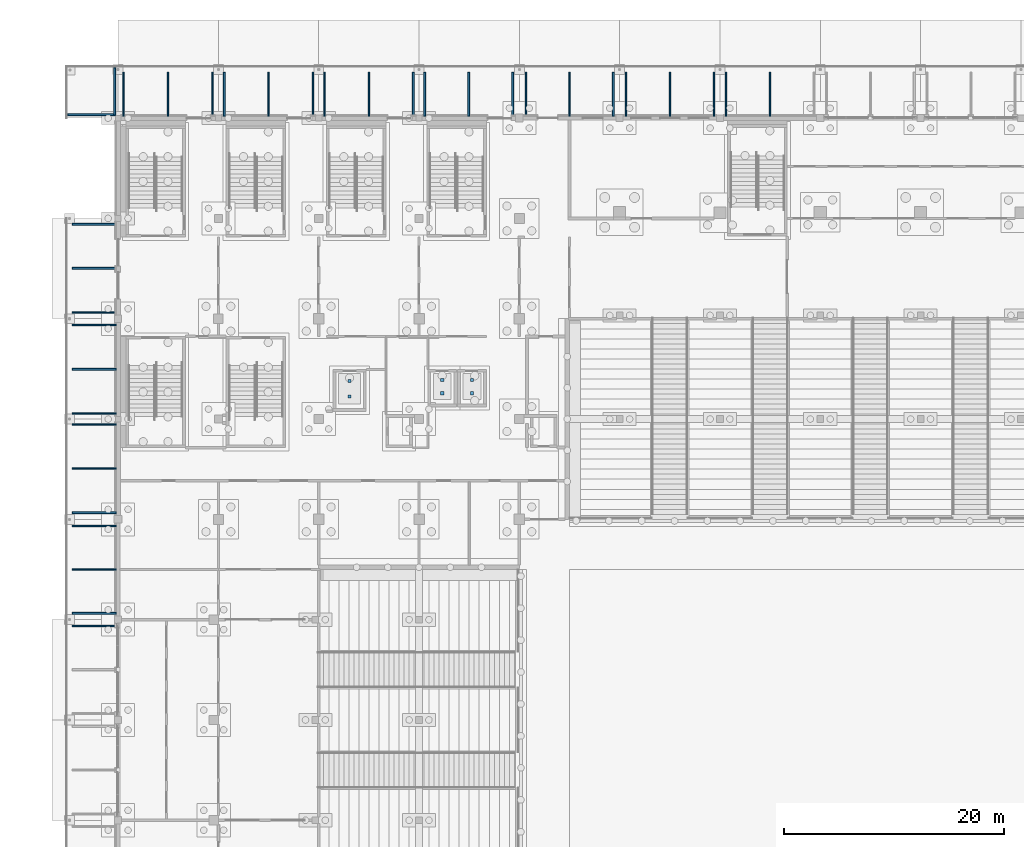
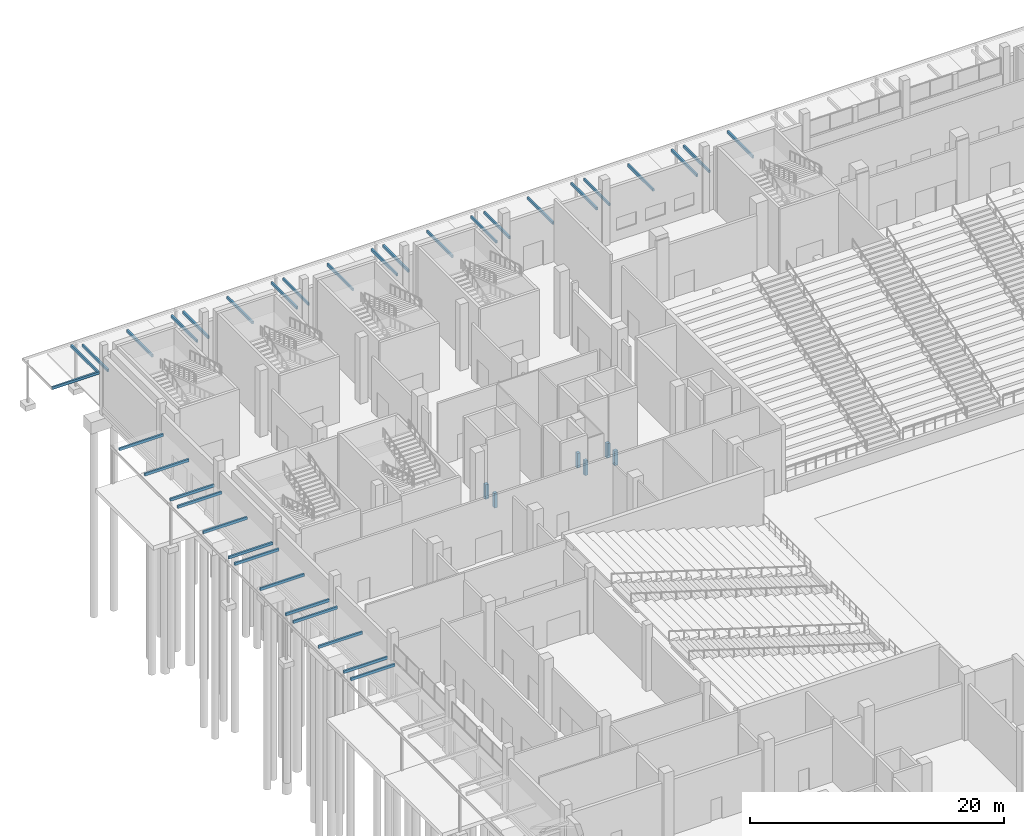
# One storey, part 97 of 129: 41 discrete accessories.
"""IFC4 building model written with IfcOpenShell, lengths in metres."""

from ifc_helpers import new_model, si_unit, direction, frame, origin, origin_2d, place, context, subcontext, project, spatial, rectangle, extrude, material, type_object, element, save


model = new_model("IFC4")

# Units and contexts
model_context = context("Model", 3, precision=1e-05, world=origin(), true_north=direction((0.0, 1.0)))
body_context = subcontext(model_context, "Body", "Model", "MODEL_VIEW")
ifc_project = project(units=[si_unit("LENGTHUNIT", "METRE"), si_unit("AREAUNIT", "SQUARE_METRE"), si_unit("VOLUMEUNIT", "CUBIC_METRE"), si_unit("PLANEANGLEUNIT", "RADIAN"), si_unit("MASSUNIT", "GRAM", prefix="KILO")], contexts=[model_context])

# Site, building, storey
site_placement = place(None, origin())
site = spatial("IfcSite", under=ifc_project, at=site_placement, CompositionType="ELEMENT")
building_placement = place(site_placement, origin())
building = spatial("IfcBuilding", under=site, at=building_placement, Name="Shirokan Park Arena", CompositionType="ELEMENT")
storey_placement = place(building_placement, origin())
storey = spatial("IfcBuildingStorey", under=building, at=storey_placement, Name="L00", CompositionType="ELEMENT", Elevation=0.0)

# Discrete accessories
ifc_material = material(Name="Steel S355", Category="steel")
discrete_accessory_type = type_object("IfcDiscreteAccessoryType", Name="Canopy bracket 150x250", PredefinedType="BRACKET", material=ifc_material)
for number, where, z_axis, x_axis, name in (
    (1, (59.137451171875, 111.35009765625, 3.35009765625), (0.0, 0.0, 1.0), (-1.0, 0.0, 0.0), "Canopy bracket north bay 10 2"),
    (2, (55.14990234375, 111.35009765625, 3.35009765625), (0.0, 0.0, 1.0), (-1.0, 0.0, 0.0), "Canopy bracket north bay 10 3"),
    (3, (54.050048828125, 111.35009765625, 3.35009765625), (0.0, 0.0, 1.0), (-1.0, 0.0, 0.0), "Canopy bracket north bay 11 1"),
    (4, (50.0625, 111.35009765625, 3.35009765625), (0.0, 0.0, 1.0), (-1.0, 0.0, 0.0), "Canopy bracket north bay 11 2"),
    (5, (46.074951171875, 111.35009765625, 3.35009765625), (0.0, 0.0, 1.0), (-1.0, 0.0, 0.0), "Canopy bracket north bay 11 3"),
    (6, (44.925048828125, 111.35009765625, 3.35009765625), (0.0, 0.0, 1.0), (-1.0, 0.0, 0.0), "Canopy bracket north bay 12 1"),
    (7, (40.96240234375, 111.35009765625, 3.35009765625), (0.0, 0.0, 1.0), (-1.0, 0.0, 0.0), "Canopy bracket north bay 12 2"),
    (8, (37.0, 111.35009765625, 3.35009765625), (0.0, 0.0, 1.0), (-1.0, 0.0, 0.0), "Canopy bracket north bay 12 3"),
    (9, (35.800048828125, 111.35009765625, 3.35009765625), (0.0, 0.0, 1.0), (-1.0, 0.0, 0.0), "Canopy bracket north bay 13 1"),
    (10, (31.8125, 111.35009765625, 3.35009765625), (0.0, 0.0, 1.0), (-1.0, 0.0, 0.0), "Canopy bracket north bay 13 2"),
    (11, (27.824951171875, 111.35009765625, 3.35009765625), (0.0, 0.0, 1.0), (-1.0, 0.0, 0.0), "Canopy bracket north bay 13 3"),
    (12, (26.77490234375, 111.35009765625, 3.35009765625), (0.0, 0.0, 1.0), (-1.0, 0.0, 0.0), "Canopy bracket north bay 14 1"),
    (13, (22.75, 111.35009765625, 3.35009765625), (0.0, 0.0, 1.0), (-1.0, 0.0, 0.0), "Canopy bracket north bay 14 2"),
    (14, (18.72509765625, 111.35009765625, 3.35009765625), (0.0, 0.0, 1.0), (-1.0, 0.0, 0.0), "Canopy bracket north bay 14 3"),
    (15, (17.675048828125, 111.35009765625, 3.35009765625), (0.0, 0.0, 1.0), (-1.0, 0.0, 0.0), "Canopy bracket north bay 15 1"),
    (16, (13.64990234375, 111.35009765625, 3.35009765625), (0.0, 0.0, 1.0), (-1.0, 0.0, 0.0), "Canopy bracket north bay 15 2"),
    (17, (9.625, 111.35009765625, 3.35009765625), (0.0, 0.0, 1.0), (-1.0, 0.0, 0.0), "Canopy bracket north bay 15 3"),
    (18, (8.574951171875, 111.35009765625, 3.35009765625), (0.0, 0.0, 1.0), (-1.0, 0.0, 0.0), "Canopy bracket north bay 16 1"),
    (19, (4.53759765625, 111.35009765625, 3.35009765625), (0.0, 0.0, 1.0), (-1.0, 0.0, 0.0), "Canopy bracket north bay 16 2"),
    (20, (0.5, 111.35009765625, 3.35009765625), (0.0, 0.0, 1.0), (-1.0, 0.0, 0.0), "Canopy bracket north bay 16 3"),
    (21, (-2.14990234375, 99.574951171875, 3.35009765625), (0.0, 0.0, 1.0), (0.0, -1.0, 0.0), "Canopy bracket west bay 2 1"),
    (22, (-2.14990234375, 95.574951171875, 3.35009765625), (0.0, 0.0, 1.0), (0.0, -1.0, 0.0), "Canopy bracket west bay 2 2"),
    (23, (-2.14990234375, 91.574951171875, 3.35009765625), (0.0, 0.0, 1.0), (0.0, -1.0, 0.0), "Canopy bracket west bay 2 3"),
    (24, (-2.14990234375, 90.425048828125, 3.35009765625), (0.0, 0.0, 1.0), (0.0, -1.0, 0.0), "Canopy bracket west bay 3 1"),
    (25, (-2.14990234375, 86.41259765625, 3.35009765625), (0.0, 0.0, 1.0), (0.0, -1.0, 0.0), "Canopy bracket west bay 3 2"),
    (26, (-2.14990234375, 82.39990234375, 3.35009765625), (0.0, 0.0, 1.0), (0.0, -1.0, 0.0), "Canopy bracket west bay 3 3"),
    (27, (-2.14990234375, 81.39990234375, 3.35009765625), (0.0, 0.0, 1.0), (0.0, -1.0, 0.0), "Canopy bracket west bay 4 1"),
    (28, (-2.14990234375, 77.39990234375, 3.35009765625), (0.0, 0.0, 1.0), (0.0, -1.0, 0.0), "Canopy bracket west bay 4 2"),
    (29, (-2.14990234375, 73.39990234375, 3.35009765625), (0.0, 0.0, 1.0), (0.0, -1.0, 0.0), "Canopy bracket west bay 4 3"),
    (30, (-2.14990234375, 72.199951171875, 3.35009765625), (0.0, 0.0, 1.0), (0.0, -1.0, 0.0), "Canopy bracket west bay 5 1"),
    (31, (-2.14990234375, 68.237548828125, 3.35009765625), (0.0, 0.0, 1.0), (0.0, -1.0, 0.0), "Canopy bracket west bay 5 2"),
    (32, (-2.14990234375, 64.27490234375, 3.35009765625), (0.0, 0.0, 1.0), (0.0, -1.0, 0.0), "Canopy bracket west bay 5 3"),
    (33, (-2.14990234375, 63.125, 3.35009765625), (0.0, 0.0, 1.0), (0.0, -1.0, 0.0), "Canopy bracket west bay 6 1"),
):
    element("IfcDiscreteAccessory", number, at=place(storey_placement, frame(where, z_axis=z_axis, x_axis=x_axis)), inside=storey, type_object=discrete_accessory_type, Name=name, PredefinedType="BRACKET", context=body_context, shape_type="SweptSolid", body=[
        extrude(rectangle(XDim=0.14990234375, YDim=4.0, at=origin_2d()), origin(), (0.0, 0.0, 1.0), 0.25),
    ])
discrete_accessory_1_placement = place(storey_placement, frame((-2.39990234375, 109.5, 3.35009765625), z_axis=(0.0, 0.0, 1.0), x_axis=(1.0, 0.0, 0.0)))
element("IfcDiscreteAccessory", 34, at=discrete_accessory_1_placement, inside=storey, type_object=discrete_accessory_type, Name="Canopy bracket NW corner 1", PredefinedType="BRACKET", context=body_context, shape_type="SweptSolid", body=[
    extrude(rectangle(XDim=4.300048828125, YDim=0.14990234375, at=origin_2d()), origin(), (0.0, 0.0, 1.0), 0.25),
])
discrete_accessory_2_placement = place(storey_placement, frame((-0.300048828125, 111.60009765625, 3.35009765625), z_axis=(0.0, 0.0, 1.0), x_axis=(1.0, 0.0, 0.0)))
element("IfcDiscreteAccessory", 35, at=discrete_accessory_2_placement, inside=storey, type_object=discrete_accessory_type, Name="Canopy bracket NW corner 2", PredefinedType="BRACKET", context=body_context, shape_type="SweptSolid", body=[
    extrude(rectangle(XDim=0.14990234375, YDim=4.300048828125, at=origin_2d()), origin(), (0.0, 0.0, 1.0), 0.25),
])
for number, where, z_axis, x_axis, name in (
    (36, (29.39990234375, 84.25, -1.39990234375), (0.0, 0.0, 1.0), (1.0, 0.0, 0.0), "Lift buffer Passenger Lift 4.1 1"),
    (37, (29.39990234375, 85.449951171875, -1.39990234375), (0.0, 0.0, 1.0), (1.0, 0.0, 0.0), "Lift buffer Passenger Lift 4.1 2"),
    (38, (32.10009765625, 84.25, -1.39990234375), (0.0, 0.0, 1.0), (1.0, 0.0, 0.0), "Lift buffer Passenger Lift 4.2 1"),
    (39, (32.10009765625, 85.449951171875, -1.39990234375), (0.0, 0.0, 1.0), (1.0, 0.0, 0.0), "Lift buffer Passenger Lift 4.2 2"),
    (40, (21.0, 83.949951171875, -1.39990234375), (0.0, 0.0, 1.0), (1.0, 0.0, 0.0), "Lift buffer Service Lift 4 1"),
    (41, (21.0, 85.35009765625, -1.39990234375), (0.0, 0.0, 1.0), (1.0, 0.0, 0.0), "Lift buffer Service Lift 4 2"),
):
    element("IfcDiscreteAccessory", number, at=place(storey_placement, frame(where, z_axis=z_axis, x_axis=x_axis)), inside=storey, Name=name, ObjectType="LIFT BUFFER", PredefinedType="USERDEFINED", context=body_context, shape_type="SweptSolid", body=[
        extrude(rectangle(XDim=0.300048828125, YDim=0.300048828125, at=origin_2d()), origin(), (0.0, 0.0, 1.0), 1.39990234375),
    ])

save(model, "model.ifc")
